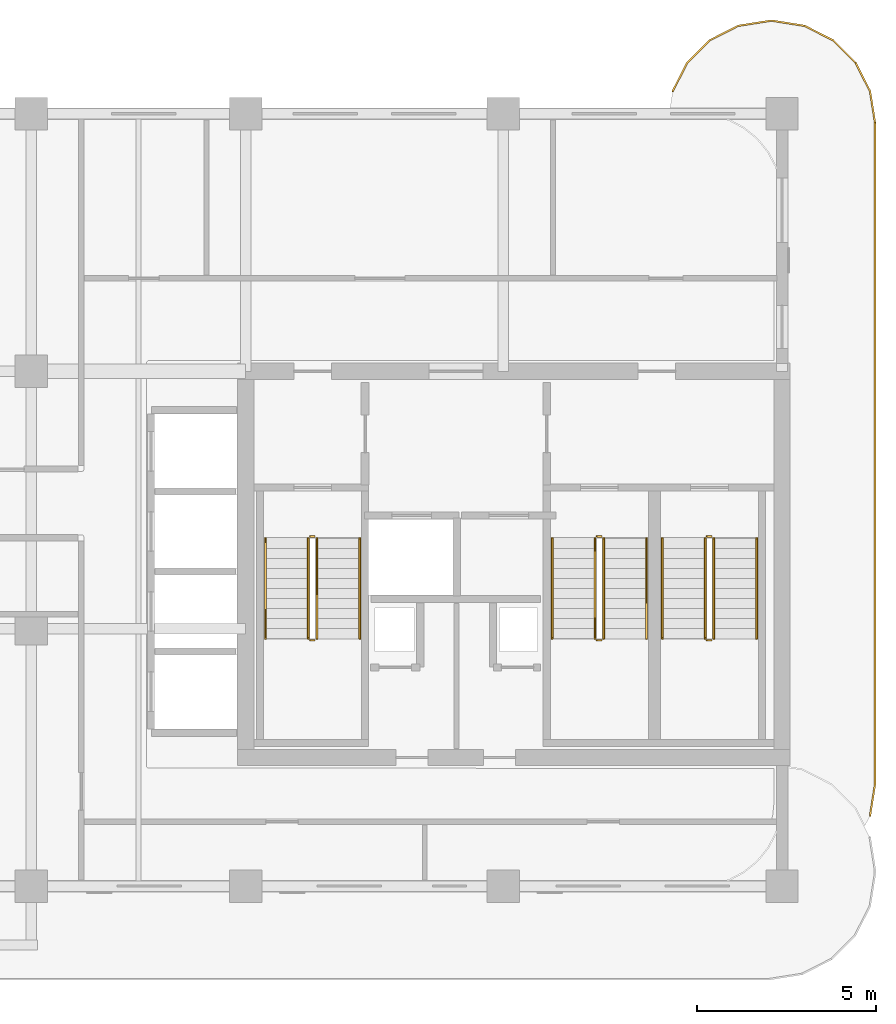
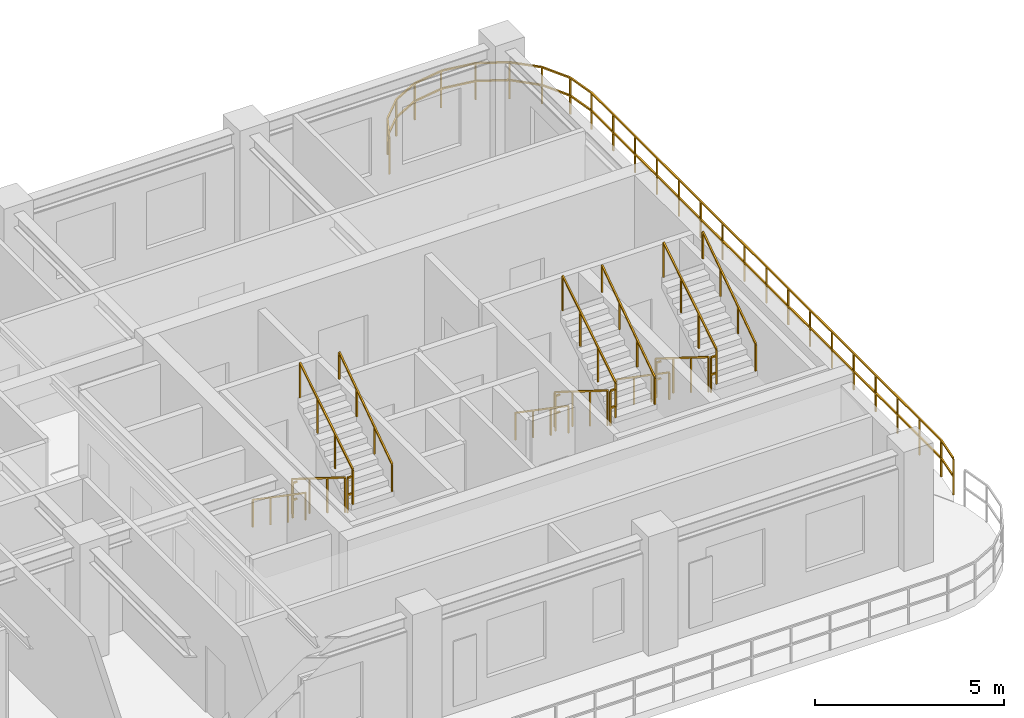
# One storey, part 8 of 8: 19 railings.
"""IFC4 building model written with IfcOpenShell, lengths in metres."""

import ifcopenshell
import ifcopenshell.guid

model = None  # the IFC model being written
_history = None  # IfcOwnerHistory: only IFC2X3 demands one
_inside = {}  # id of a spatial element -> (the spatial element, [elements in it])
_under = {}  # id of a project, library or spatial element -> (it, [spatial elements below it])
_declared = {}  # id of a project -> (the project, [libraries it declares])
_typed = {}  # id of a type object -> (the type object, [elements of that type])
_made_of = {}  # id of a material, layer set ... -> (it, [elements and type objects made of it])


def new_model(schema):
    """Start an empty IFC model of exactly this schema.

    Asked for "IFC4X3", IfcOpenShell would pick the latest addendum, in which some entities
    have other attributes; the version numbers below select the first issue.
    IFC2X3 requires an IfcOwnerHistory on every rooted entity: one is made here for all.
    """
    global model, _history
    if schema == "IFC4X3":
        model = ifcopenshell.file(schema_version=(4, 3, 0, 0))
    else:
        model = ifcopenshell.file(schema=schema)
    _inside.clear()
    _under.clear()
    _declared.clear()
    _typed.clear()
    _made_of.clear()
    _history = None
    if model.schema == "IFC2X3":
        org = make("IfcOrganization", Name="unknown")
        user = make(
            "IfcPersonAndOrganization",
            ThePerson=make("IfcPerson", FamilyName="unknown"),
            TheOrganization=org,
        )
        app = make(
            "IfcApplication",
            ApplicationDeveloper=org,
            Version="unknown",
            ApplicationFullName="unknown",
            ApplicationIdentifier="unknown",
        )
        _history = make(
            "IfcOwnerHistory",
            OwningUser=user,
            OwningApplication=app,
            ChangeAction="ADDED",
            CreationDate=0,
        )
    return model


def make(cls, **values):
    """One entity of the class cls with the attributes given. An attribute that is None is left unset."""
    return model.create_entity(
        cls, **{name: value for name, value in values.items() if value is not None}
    )


def rooted(cls, **values):
    """An entity with a GlobalId (a new one), such as an element, a storey or a relation."""
    return make(cls, GlobalId=ifcopenshell.guid.new(), OwnerHistory=_history, **values)


def si_unit(unit_type, name, prefix=None):
    """IfcSIUnit, for example si_unit("LENGTHUNIT", "METRE", prefix="MILLI")."""
    return make("IfcSIUnit", UnitType=unit_type, Prefix=prefix, Name=name)


def derived_unit(unit_type, elements):
    """IfcDerivedUnit: a product of units, each with its exponent."""
    return make(
        "IfcDerivedUnit",
        Elements=[
            make("IfcDerivedUnitElement", Unit=unit, Exponent=power)
            for unit, power in elements
        ],
        UnitType=unit_type,
    )


def assignment(units):
    """IfcUnitAssignment: the units of a project."""
    return None if units is None else make("IfcUnitAssignment", Units=units)


def point(xyz):
    """IfcCartesianPoint."""
    return None if xyz is None else make("IfcCartesianPoint", Coordinates=xyz)


def direction(xyz):
    """IfcDirection."""
    return None if xyz is None else make("IfcDirection", DirectionRatios=xyz)


def frame(location, z_axis=None, x_axis=None):
    """IfcAxis2Placement3D, a coordinate frame: its origin and axes. An axis left out is left unset."""
    return make(
        "IfcAxis2Placement3D",
        Location=point(location),
        Axis=direction(z_axis),
        RefDirection=direction(x_axis),
    )


def frame_2d(location, x_axis=None):
    """IfcAxis2Placement2D, a coordinate frame in the plane: its origin and x axis."""
    return make(
        "IfcAxis2Placement2D", Location=point(location), RefDirection=direction(x_axis)
    )


def origin():
    """The frame at (0, 0, 0) with its axes left unset."""
    return frame((0.0, 0.0, 0.0))


def origin_2d():
    """The frame at (0, 0) in the plane with its x axis left unset."""
    return frame_2d((0.0, 0.0))


def place(relative_to, where):
    """IfcLocalPlacement: puts the frame where relative to a parent placement (None: the world)."""
    return make(
        "IfcLocalPlacement", PlacementRelTo=relative_to, RelativePlacement=where
    )


def context(
    kind, dimensions, precision=None, world=None, true_north=None, identifier=None
):
    """IfcGeometricRepresentationContext, for example the 3D "Model" context."""
    return make(
        "IfcGeometricRepresentationContext",
        ContextIdentifier=identifier,
        ContextType=kind,
        CoordinateSpaceDimension=dimensions,
        Precision=precision,
        WorldCoordinateSystem=world,
        TrueNorth=true_north,
    )


def subcontext(parent, identifier, kind, view, scale=None):
    """IfcGeometricRepresentationSubContext, for example "Body" below "Model"."""
    return make(
        "IfcGeometricRepresentationSubContext",
        ContextIdentifier=identifier,
        ContextType=kind,
        ParentContext=parent,
        TargetScale=scale,
        TargetView=view,
    )


def project(units=None, contexts=None):
    """IfcProject with its units and contexts."""
    return rooted(
        "IfcProject",
        Name="project",
        RepresentationContexts=contexts,
        UnitsInContext=assignment(units),
    )


def spatial(cls, under=None, at=None, **own):
    """A site, building, storey or space (cls), placed at a placement, below another one or the project."""
    s = rooted(cls, ObjectPlacement=at, **own)
    if under is not None:
        _under.setdefault(under.id(), (under, []))[1].append(s)
    return s


def profile(cls, at=None, kind="AREA", **sizes):
    """A parametric profile (cls). Its sizes go by their IFC names, for example OverallWidth=200.0."""
    return make(cls, ProfileType=kind, Position=at, **sizes)


def rectangle(**sizes):
    """IfcRectangleProfileDef."""
    return profile("IfcRectangleProfileDef", **sizes)


def extrude(swept, where, along, depth):
    """IfcExtrudedAreaSolid: the profile swept, set in the frame where, extruded along a direction by depth."""
    return make(
        "IfcExtrudedAreaSolid",
        SweptArea=swept,
        Position=where,
        ExtrudedDirection=direction(along),
        Depth=depth,
    )


def shape(context_of_items, identifier, shape_type, items):
    """IfcShapeRepresentation: the items that make up one representation, for example the "Body"."""
    return make(
        "IfcShapeRepresentation",
        ContextOfItems=context_of_items,
        RepresentationIdentifier=identifier,
        RepresentationType=shape_type,
        Items=items,
    )


def material(Name=None, Category=None):
    """IfcMaterial."""
    return make("IfcMaterial", Name=Name, Category=Category)


def made_of(thing, what):
    """Note that an element or type object is made of a material, layer set ...; save() writes the relation."""
    if what is not None:
        _made_of.setdefault(what.id(), (what, []))[1].append(thing)
    return thing


def type_object(cls, material=None, **own):
    """A type object (cls), such as IfcWallType, which elements share."""
    return made_of(rooted(cls, **own), material)


def element(
    cls,
    number,
    at=None,
    inside=None,
    cuts=None,
    type_object=None,
    material=None,
    context=None,
    identifier="Body",
    shape_type=None,
    held_by="IfcProductDefinitionShape",
    body=None,
    shapes=None,
    **own,
):
    """One element of the class cls, such as IfcWall. Its Tag is "e" and its number.

    at: its placement. inside: the storey or other place that contains it. cuts: it is an
    opening in that element (IfcRelVoidsElement). A single representation is given by context,
    identifier, shape_type and body (its items); several are given by shapes. held_by: the class
    of the entity that holds the representations. save() writes the other relations.
    """
    e = rooted(cls, Tag="e%d" % number, ObjectPlacement=at, **own)
    if body is not None:
        shapes = [shape(context, identifier, shape_type, body)]
    if shapes is not None:
        e.Representation = make(held_by, Representations=shapes)
    if inside is not None:
        _inside.setdefault(inside.id(), (inside, []))[1].append(e)
    if cuts is not None:
        rooted(
            "IfcRelVoidsElement", RelatingBuildingElement=cuts, RelatedOpeningElement=e
        )
    if type_object is not None:
        _typed.setdefault(type_object.id(), (type_object, []))[1].append(e)
    return made_of(e, material)


def aggregate(whole, parts):
    """IfcRelAggregates: a whole, such as a stair, and the parts it consists of."""
    return rooted("IfcRelAggregates", RelatingObject=whole, RelatedObjects=parts)


def save(model, path):
    """Write the relations noted so far, then the file.

    IfcRelAggregates (storeys below a building ...), IfcRelContainedInSpatialStructure (elements
    in a storey), IfcRelDefinesByType, IfcRelAssociatesMaterial and IfcRelDeclares: one each for
    every whole, place, type object, material and project.
    """
    for whole, parts in _under.values():
        aggregate(whole, parts)
    for where, things in _inside.values():
        rooted(
            "IfcRelContainedInSpatialStructure",
            RelatedElements=things,
            RelatingStructure=where,
        )
    for kind, things in _typed.values():
        rooted("IfcRelDefinesByType", RelatedObjects=things, RelatingType=kind)
    for what, things in _made_of.values():
        rooted("IfcRelAssociatesMaterial", RelatedObjects=things, RelatingMaterial=what)
    for by, libraries in _declared.values():
        rooted("IfcRelDeclares", RelatingContext=by, RelatedDefinitions=libraries)
    model.write(path)


model = new_model("IFC4")

# Units and contexts
model_context = context("Model", 3, precision=1e-05, world=origin(), true_north=direction((0.0, 1.0)))
body_context = subcontext(model_context, "Body", "Model", "MODEL_VIEW")
ifc_project = project(units=[si_unit("LENGTHUNIT", "METRE"), si_unit("AREAUNIT", "SQUARE_METRE"), si_unit("VOLUMEUNIT", "CUBIC_METRE"), si_unit("PLANEANGLEUNIT", "RADIAN"), si_unit("MASSUNIT", "GRAM", prefix="KILO"), si_unit("THERMODYNAMICTEMPERATUREUNIT", "KELVIN"), si_unit("POWERUNIT", "WATT"), derived_unit("THERMALTRANSMITTANCEUNIT", [(si_unit("POWERUNIT", "WATT"), 1), (si_unit("AREAUNIT", "SQUARE_METRE"), -1), (si_unit("THERMODYNAMICTEMPERATUREUNIT", "KELVIN"), -1)])], contexts=[model_context])

# Site, building, storey
site_placement = place(None, origin())
site = spatial("IfcSite", under=ifc_project, at=site_placement, CompositionType="ELEMENT")
building_placement = place(site_placement, origin())
building = spatial("IfcBuilding", under=site, at=building_placement, Name="Zahravan Archway Hotel and Residences", CompositionType="ELEMENT")
storey_placement = place(building_placement, frame((0.0, 0.0, 232.699951171875)))
storey = spatial("IfcBuildingStorey", under=building, at=storey_placement, Name="L58", CompositionType="ELEMENT", Elevation=232.699951171875)

# Railings
ifc_material_1 = material(Name="Bronze & Laminated Glass Balustrade", Category="glass")
railing_type_1 = type_object("IfcRailingType", Name="RL-BAL-1200", PredefinedType="BALUSTRADE", material=ifc_material_1)
railing_1_placement = place(storey_placement, frame((46.739501953125, 22.230712890625, 0.0)))
element("IfcRailing", 1, at=railing_1_placement, inside=storey, type_object=railing_type_1, Name="L58 Balustrade RL-SLB-BAL-L58-EA-1", PredefinedType="BALUSTRADE", context=body_context, shape_type="SweptSolid", body=[
    extrude(rectangle(XDim=0.048095703125, YDim=0.048095703125, at=origin_2d()), frame((0.0, 0.0, 1.17578125), z_axis=(0.453991409995, 0.891006060389, 0.0), x_axis=(-0.891006060389, 0.453991409995, 0.0)), (0.0, 0.0, 1.0), 0.8916015625),
    extrude(rectangle(XDim=0.048095703125, YDim=0.048095703125, at=origin_2d()), frame((0.0, 0.0, 0.60009765625), z_axis=(0.453991409995, 0.891006060389, 0.0), x_axis=(-0.891006060389, 0.453991409995, 0.0)), (0.0, 0.0, 1.0), 0.8916015625),
    extrude(rectangle(XDim=0.048095703125, YDim=0.048095703125, at=origin_2d()), frame((0.40478515625, 0.79443359375, 1.17578125), z_axis=(0.707106781187, 0.707106781187, 0.0), x_axis=(-0.707106781187, 0.707106781187, 0.0)), (0.0, 0.0, 1.0), 0.891845703125),
    extrude(rectangle(XDim=0.048095703125, YDim=0.048095703125, at=origin_2d()), frame((0.40478515625, 0.79443359375, 0.60009765625), z_axis=(0.707106781187, 0.707106781187, 0.0), x_axis=(-0.707106781187, 0.707106781187, 0.0)), (0.0, 0.0, 1.0), 0.891845703125),
    extrude(rectangle(XDim=0.048095703125, YDim=0.048095703125, at=origin_2d()), frame((1.035400390625, 1.425048828125, 1.17578125), z_axis=(0.891006060389, 0.453991409995, 0.0), x_axis=(-0.453991409995, 0.891006060389, 0.0)), (0.0, 0.0, 1.0), 0.8916015625),
    extrude(rectangle(XDim=0.048095703125, YDim=0.048095703125, at=origin_2d()), frame((1.035400390625, 1.425048828125, 0.60009765625), z_axis=(0.891006060389, 0.453991409995, 0.0), x_axis=(-0.453991409995, 0.891006060389, 0.0)), (0.0, 0.0, 1.0), 0.8916015625),
    extrude(rectangle(XDim=0.048095703125, YDim=0.048095703125, at=origin_2d()), frame((1.829833984375, 1.829833984375, 1.17578125), z_axis=(0.987700720307, 0.156356282588, 0.0), x_axis=(-0.156356282588, 0.987700720307, 0.0)), (0.0, 0.0, 1.0), 0.8916015625),
    extrude(rectangle(XDim=0.048095703125, YDim=0.048095703125, at=origin_2d()), frame((1.829833984375, 1.829833984375, 0.60009765625), z_axis=(0.987700720307, 0.156356282588, 0.0), x_axis=(-0.156356282588, 0.987700720307, 0.0)), (0.0, 0.0, 1.0), 0.8916015625),
    extrude(rectangle(XDim=0.048095703125, YDim=0.048095703125, at=origin_2d()), frame((2.71044921875, 1.96923828125, 1.17578125), z_axis=(1.0, 0.0, 0.0), x_axis=(0.0, 1.0, 0.0)), (0.0, 0.0, 1.0), 0.10009765625),
    extrude(rectangle(XDim=0.048095703125, YDim=0.048095703125, at=origin_2d()), frame((2.71044921875, 1.96923828125, 0.60009765625), z_axis=(1.0, 0.0, 0.0), x_axis=(0.0, 1.0, 0.0)), (0.0, 0.0, 1.0), 0.10009765625),
    extrude(rectangle(XDim=0.048095703125, YDim=0.048095703125, at=origin_2d()), frame((2.810546875, 1.96923828125, 1.17578125), z_axis=(0.987700720307, -0.156356282588, 0.0), x_axis=(0.156356282588, 0.987700720307, 0.0)), (0.0, 0.0, 1.0), 0.8916015625),
    extrude(rectangle(XDim=0.048095703125, YDim=0.048095703125, at=origin_2d()), frame((2.810546875, 1.96923828125, 0.60009765625), z_axis=(0.987700720307, -0.156356282588, 0.0), x_axis=(0.156356282588, 0.987700720307, 0.0)), (0.0, 0.0, 1.0), 0.8916015625),
    extrude(rectangle(XDim=0.048095703125, YDim=0.048095703125, at=origin_2d()), frame((3.691162109375, 1.829833984375, 1.17578125), z_axis=(0.891006060389, -0.453991409995, 0.0), x_axis=(0.453991409995, 0.891006060389, 0.0)), (0.0, 0.0, 1.0), 0.8916015625),
    extrude(rectangle(XDim=0.048095703125, YDim=0.048095703125, at=origin_2d()), frame((3.691162109375, 1.829833984375, 0.60009765625), z_axis=(0.891006060389, -0.453991409995, 0.0), x_axis=(0.453991409995, 0.891006060389, 0.0)), (0.0, 0.0, 1.0), 0.8916015625),
    extrude(rectangle(XDim=0.048095703125, YDim=0.048095703125, at=origin_2d()), frame((4.485595703125, 1.425048828125, 1.17578125), z_axis=(0.707106781187, -0.707106781187, 0.0), x_axis=(0.707106781187, 0.707106781187, 0.0)), (0.0, 0.0, 1.0), 0.891845703125),
    extrude(rectangle(XDim=0.048095703125, YDim=0.048095703125, at=origin_2d()), frame((4.485595703125, 1.425048828125, 0.60009765625), z_axis=(0.707106781187, -0.707106781187, 0.0), x_axis=(0.707106781187, 0.707106781187, 0.0)), (0.0, 0.0, 1.0), 0.891845703125),
    extrude(rectangle(XDim=0.048095703125, YDim=0.048095703125, at=origin_2d()), frame((5.1162109375, 0.79443359375, 1.17578125), z_axis=(0.453991409995, -0.891006060389, 0.0), x_axis=(0.891006060389, 0.453991409995, 0.0)), (0.0, 0.0, 1.0), 0.8916015625),
    extrude(rectangle(XDim=0.048095703125, YDim=0.048095703125, at=origin_2d()), frame((5.1162109375, 0.79443359375, 0.60009765625), z_axis=(0.453991409995, -0.891006060389, 0.0), x_axis=(0.891006060389, 0.453991409995, 0.0)), (0.0, 0.0, 1.0), 0.8916015625),
    extrude(rectangle(XDim=0.048095703125, YDim=0.048095703125, at=origin_2d()), frame((5.52099609375, 0.0, 1.17578125), z_axis=(0.156356282588, -0.987700720307, 0.0), x_axis=(0.987700720307, 0.156356282588, 0.0)), (0.0, 0.0, 1.0), 0.8916015625),
    extrude(rectangle(XDim=0.048095703125, YDim=0.048095703125, at=origin_2d()), frame((5.52099609375, 0.0, 0.60009765625), z_axis=(0.156356282588, -0.987700720307, 0.0), x_axis=(0.987700720307, 0.156356282588, 0.0)), (0.0, 0.0, 1.0), 0.8916015625),
    extrude(rectangle(XDim=0.048095703125, YDim=0.048095703125, at=origin_2d()), frame((5.660400390625, -0.880615234375, 1.17578125), z_axis=(0.0, -1.0, 0.0), x_axis=(1.0, 0.0, 0.0)), (0.0, 0.0, 1.0), 18.5),
    extrude(rectangle(XDim=0.048095703125, YDim=0.048095703125, at=origin_2d()), frame((5.660400390625, -0.880615234375, 0.60009765625), z_axis=(0.0, -1.0, 0.0), x_axis=(1.0, 0.0, 0.0)), (0.0, 0.0, 1.0), 18.5),
    extrude(rectangle(XDim=0.048095703125, YDim=0.048095703125, at=origin_2d()), frame((5.660400390625, -19.380615234375, 1.17578125), z_axis=(-0.156314005608, -0.987707411965, 0.0), x_axis=(0.987707411965, -0.156314005608, 0.0)), (0.0, 0.0, 1.0), 0.891845703125),
    extrude(rectangle(XDim=0.048095703125, YDim=0.048095703125, at=origin_2d()), frame((5.660400390625, -19.380615234375, 0.60009765625), z_axis=(-0.156314005608, -0.987707411965, 0.0), x_axis=(0.987707411965, -0.156314005608, 0.0)), (0.0, 0.0, 1.0), 0.891845703125),
    extrude(rectangle(XDim=0.0419921875, YDim=0.0419921875, at=origin_2d()), origin(), (0.0, 0.0, 1.0), 1.15185546875),
    extrude(rectangle(XDim=0.0419921875, YDim=0.0419921875, at=origin_2d()), frame((0.40478515625, 0.79443359375, 0.0)), (0.0, 0.0, 1.0), 1.15185546875),
    extrude(rectangle(XDim=0.0419921875, YDim=0.0419921875, at=origin_2d()), frame((1.035400390625, 1.425048828125, 0.0)), (0.0, 0.0, 1.0), 1.15185546875),
    extrude(rectangle(XDim=0.0419921875, YDim=0.0419921875, at=origin_2d()), frame((1.829833984375, 1.829833984375, 0.0)), (0.0, 0.0, 1.0), 1.15185546875),
    extrude(rectangle(XDim=0.0419921875, YDim=0.0419921875, at=origin_2d()), frame((2.71044921875, 1.96923828125, 0.0)), (0.0, 0.0, 1.0), 1.15185546875),
    extrude(rectangle(XDim=0.0419921875, YDim=0.0419921875, at=origin_2d()), frame((3.691162109375, 1.829833984375, 0.0)), (0.0, 0.0, 1.0), 1.15185546875),
    extrude(rectangle(XDim=0.0419921875, YDim=0.0419921875, at=origin_2d()), frame((4.485595703125, 1.425048828125, 0.0)), (0.0, 0.0, 1.0), 1.15185546875),
    extrude(rectangle(XDim=0.0419921875, YDim=0.0419921875, at=origin_2d()), frame((5.1162109375, 0.79443359375, 0.0)), (0.0, 0.0, 1.0), 1.15185546875),
    extrude(rectangle(XDim=0.0419921875, YDim=0.0419921875, at=origin_2d()), frame((5.52099609375, 0.0, 0.0)), (0.0, 0.0, 1.0), 1.15185546875),
    extrude(rectangle(XDim=0.0419921875, YDim=0.0419921875, at=origin_2d()), frame((5.660400390625, -0.880615234375, 0.0)), (0.0, 0.0, 1.0), 1.15185546875),
    extrude(rectangle(XDim=0.0419921875, YDim=0.0419921875, at=origin_2d()), frame((5.660400390625, -2.036865234375, 0.0)), (0.0, 0.0, 1.0), 1.15185546875),
    extrude(rectangle(XDim=0.0419921875, YDim=0.0419921875, at=origin_2d()), frame((5.660400390625, -3.193115234375, 0.0)), (0.0, 0.0, 1.0), 1.15185546875),
    extrude(rectangle(XDim=0.0419921875, YDim=0.0419921875, at=origin_2d()), frame((5.660400390625, -4.349365234375, 0.0)), (0.0, 0.0, 1.0), 1.15185546875),
    extrude(rectangle(XDim=0.0419921875, YDim=0.0419921875, at=origin_2d()), frame((5.660400390625, -5.505615234375, 0.0)), (0.0, 0.0, 1.0), 1.15185546875),
    extrude(rectangle(XDim=0.0419921875, YDim=0.0419921875, at=origin_2d()), frame((5.660400390625, -6.661865234375, 0.0)), (0.0, 0.0, 1.0), 1.15185546875),
    extrude(rectangle(XDim=0.0419921875, YDim=0.0419921875, at=origin_2d()), frame((5.660400390625, -7.818115234375, 0.0)), (0.0, 0.0, 1.0), 1.15185546875),
    extrude(rectangle(XDim=0.0419921875, YDim=0.0419921875, at=origin_2d()), frame((5.660400390625, -8.974365234375, 0.0)), (0.0, 0.0, 1.0), 1.15185546875),
    extrude(rectangle(XDim=0.0419921875, YDim=0.0419921875, at=origin_2d()), frame((5.660400390625, -10.130615234375, 0.0)), (0.0, 0.0, 1.0), 1.15185546875),
    extrude(rectangle(XDim=0.0419921875, YDim=0.0419921875, at=origin_2d()), frame((5.660400390625, -11.286865234375, 0.0)), (0.0, 0.0, 1.0), 1.15185546875),
    extrude(rectangle(XDim=0.0419921875, YDim=0.0419921875, at=origin_2d()), frame((5.660400390625, -12.443115234375, 0.0)), (0.0, 0.0, 1.0), 1.15185546875),
    extrude(rectangle(XDim=0.0419921875, YDim=0.0419921875, at=origin_2d()), frame((5.660400390625, -13.599365234375, 0.0)), (0.0, 0.0, 1.0), 1.15185546875),
    extrude(rectangle(XDim=0.0419921875, YDim=0.0419921875, at=origin_2d()), frame((5.660400390625, -14.755615234375, 0.0)), (0.0, 0.0, 1.0), 1.15185546875),
    extrude(rectangle(XDim=0.0419921875, YDim=0.0419921875, at=origin_2d()), frame((5.660400390625, -15.911865234375, 0.0)), (0.0, 0.0, 1.0), 1.15185546875),
    extrude(rectangle(XDim=0.0419921875, YDim=0.0419921875, at=origin_2d()), frame((5.660400390625, -17.068115234375, 0.0)), (0.0, 0.0, 1.0), 1.15185546875),
    extrude(rectangle(XDim=0.0419921875, YDim=0.0419921875, at=origin_2d()), frame((5.660400390625, -18.224365234375, 0.0)), (0.0, 0.0, 1.0), 1.15185546875),
    extrude(rectangle(XDim=0.0419921875, YDim=0.0419921875, at=origin_2d()), frame((5.660400390625, -19.380615234375, 0.0)), (0.0, 0.0, 1.0), 1.15185546875),
    extrude(rectangle(XDim=0.0419921875, YDim=0.0419921875, at=origin_2d()), frame((5.52099609375, -20.261474609375, 0.0)), (0.0, 0.0, 1.0), 1.15185546875),
])
ifc_material_2 = material(Name="Painted Tubular Steel", Category="steel")
railing_type_2 = type_object("IfcRailingType", Name="RL-STG-1150", PredefinedType="GUARDRAIL", material=ifc_material_2)
railing_2_placement = place(storey_placement, frame((36.550048828125, 9.72998046875, 0.175048828125)))
element("IfcRailing", 2, at=railing_2_placement, inside=storey, type_object=railing_type_2, Name="L58 ST-A1 stair guard 1", PredefinedType="GUARDRAIL", context=body_context, shape_type="SweptSolid", body=[
    extrude(rectangle(XDim=0.048095703125, YDim=0.048095703125, at=origin_2d()), frame((0.0, 0.0, 1.1259765625), z_axis=(0.0, -0.848002457836, 0.529992293815), x_axis=(1.0, 0.0, 0.0)), (0.0, 0.0, 1.0), 3.302001953125),
    extrude(rectangle(XDim=0.0419921875, YDim=0.0419921875, at=origin_2d()), origin(), (0.0, 0.0, 1.0), 1.101806640625),
    extrude(rectangle(XDim=0.0419921875, YDim=0.0419921875, at=origin_2d()), frame((0.0, -0.933349609375, 0.583251953125)), (0.0, 0.0, 1.0), 1.101806640625),
    extrude(rectangle(XDim=0.0419921875, YDim=0.0419921875, at=origin_2d()), frame((0.0, -1.86669921875, 1.166748046875)), (0.0, 0.0, 1.0), 1.101806640625),
    extrude(rectangle(XDim=0.0419921875, YDim=0.0419921875, at=origin_2d()), frame((0.0, -2.800048828125, 1.75)), (0.0, 0.0, 1.0), 1.101806640625),
])
railing_3_placement = place(storey_placement, frame((36.60009765625, 6.8798828125, 1.925048828125)))
element("IfcRailing", 3, at=railing_3_placement, inside=storey, type_object=railing_type_2, Name="L58 ST-A1 stair guard 2", PredefinedType="GUARDRAIL", context=body_context, shape_type="SweptSolid", body=[
    extrude(rectangle(XDim=0.048095703125, YDim=0.048095703125, at=origin_2d()), frame((0.0, 0.0, 1.1259765625), z_axis=(1.0, 0.0, 0.0), x_axis=(0.0, 1.0, 0.0)), (0.0, 0.0, 1.0), 0.139892578125),
    extrude(rectangle(XDim=0.048095703125, YDim=0.048095703125, at=origin_2d()), frame((0.0, 0.0, 0.574951171875), z_axis=(1.0, 0.0, 0.0), x_axis=(0.0, 1.0, 0.0)), (0.0, 0.0, 1.0), 0.139892578125),
    extrude(rectangle(XDim=0.0419921875, YDim=0.0419921875, at=origin_2d()), origin(), (0.0, 0.0, 1.0), 1.101806640625),
])
railing_4_placement = place(storey_placement, frame((36.7900390625, 6.929931640625, 2.10009765625)))
element("IfcRailing", 4, at=railing_4_placement, inside=storey, type_object=railing_type_2, Name="L58 ST-A1 stair guard 3", PredefinedType="GUARDRAIL", context=body_context, shape_type="SweptSolid", body=[
    extrude(rectangle(XDim=0.048095703125, YDim=0.048095703125, at=origin_2d()), frame((0.0, 0.0, 1.1259765625), z_axis=(0.0, 0.848002457836, 0.529992293815), x_axis=(-1.0, 0.0, 0.0)), (0.0, 0.0, 1.0), 3.302001953125),
    extrude(rectangle(XDim=0.0419921875, YDim=0.0419921875, at=origin_2d()), origin(), (0.0, 0.0, 1.0), 1.101806640625),
    extrude(rectangle(XDim=0.0419921875, YDim=0.0419921875, at=origin_2d()), frame((0.0, 0.933349609375, 0.583251953125)), (0.0, 0.0, 1.0), 1.101806640625),
    extrude(rectangle(XDim=0.0419921875, YDim=0.0419921875, at=origin_2d()), frame((0.0, 1.86669921875, 1.166748046875)), (0.0, 0.0, 1.0), 1.101806640625),
    extrude(rectangle(XDim=0.0419921875, YDim=0.0419921875, at=origin_2d()), frame((0.0, 2.800048828125, 1.75)), (0.0, 0.0, 1.0), 1.101806640625),
])
railing_5_placement = place(storey_placement, frame((36.60009765625, 9.780029296875, 0.0)))
element("IfcRailing", 5, at=railing_5_placement, inside=storey, type_object=railing_type_2, Name="L58 ST-A1 stair guard 4", PredefinedType="GUARDRAIL", context=body_context, shape_type="SweptSolid", body=[
    extrude(rectangle(XDim=0.048095703125, YDim=0.048095703125, at=origin_2d()), frame((0.0, 0.0, 1.1259765625), z_axis=(1.0, 0.0, 0.0), x_axis=(0.0, 1.0, 0.0)), (0.0, 0.0, 1.0), 0.139892578125),
    extrude(rectangle(XDim=0.048095703125, YDim=0.048095703125, at=origin_2d()), frame((0.0, 0.0, 0.574951171875), z_axis=(1.0, 0.0, 0.0), x_axis=(0.0, 1.0, 0.0)), (0.0, 0.0, 1.0), 0.139892578125),
    extrude(rectangle(XDim=0.0419921875, YDim=0.0419921875, at=origin_2d()), origin(), (0.0, 0.0, 1.0), 1.101806640625),
])
railing_6_placement = place(storey_placement, frame((44.570068359375, 9.72998046875, 0.175048828125)))
element("IfcRailing", 6, at=railing_6_placement, inside=storey, type_object=railing_type_2, Name="L58 ST-A2 stair guard 1", PredefinedType="GUARDRAIL", context=body_context, shape_type="SweptSolid", body=[
    extrude(rectangle(XDim=0.048095703125, YDim=0.048095703125, at=origin_2d()), frame((0.0, 0.0, 1.1259765625), z_axis=(0.0, -0.848002457836, 0.529992293815), x_axis=(1.0, 0.0, 0.0)), (0.0, 0.0, 1.0), 3.302001953125),
    extrude(rectangle(XDim=0.0419921875, YDim=0.0419921875, at=origin_2d()), origin(), (0.0, 0.0, 1.0), 1.101806640625),
    extrude(rectangle(XDim=0.0419921875, YDim=0.0419921875, at=origin_2d()), frame((0.0, -0.933349609375, 0.583251953125)), (0.0, 0.0, 1.0), 1.101806640625),
    extrude(rectangle(XDim=0.0419921875, YDim=0.0419921875, at=origin_2d()), frame((0.0, -1.86669921875, 1.166748046875)), (0.0, 0.0, 1.0), 1.101806640625),
    extrude(rectangle(XDim=0.0419921875, YDim=0.0419921875, at=origin_2d()), frame((0.0, -2.800048828125, 1.75)), (0.0, 0.0, 1.0), 1.101806640625),
])
railing_7_placement = place(storey_placement, frame((44.6201171875, 6.8798828125, 1.925048828125)))
element("IfcRailing", 7, at=railing_7_placement, inside=storey, type_object=railing_type_2, Name="L58 ST-A2 stair guard 2", PredefinedType="GUARDRAIL", context=body_context, shape_type="SweptSolid", body=[
    extrude(rectangle(XDim=0.048095703125, YDim=0.048095703125, at=origin_2d()), frame((0.0, 0.0, 1.1259765625), z_axis=(1.0, 0.0, 0.0), x_axis=(0.0, 1.0, 0.0)), (0.0, 0.0, 1.0), 0.139892578125),
    extrude(rectangle(XDim=0.048095703125, YDim=0.048095703125, at=origin_2d()), frame((0.0, 0.0, 0.574951171875), z_axis=(1.0, 0.0, 0.0), x_axis=(0.0, 1.0, 0.0)), (0.0, 0.0, 1.0), 0.139892578125),
    extrude(rectangle(XDim=0.0419921875, YDim=0.0419921875, at=origin_2d()), origin(), (0.0, 0.0, 1.0), 1.101806640625),
])
railing_8_placement = place(storey_placement, frame((44.81005859375, 6.929931640625, 2.10009765625)))
element("IfcRailing", 8, at=railing_8_placement, inside=storey, type_object=railing_type_2, Name="L58 ST-A2 stair guard 3", PredefinedType="GUARDRAIL", context=body_context, shape_type="SweptSolid", body=[
    extrude(rectangle(XDim=0.048095703125, YDim=0.048095703125, at=origin_2d()), frame((0.0, 0.0, 1.1259765625), z_axis=(0.0, 0.848002457836, 0.529992293815), x_axis=(-1.0, 0.0, 0.0)), (0.0, 0.0, 1.0), 3.302001953125),
    extrude(rectangle(XDim=0.0419921875, YDim=0.0419921875, at=origin_2d()), origin(), (0.0, 0.0, 1.0), 1.101806640625),
    extrude(rectangle(XDim=0.0419921875, YDim=0.0419921875, at=origin_2d()), frame((0.0, 0.933349609375, 0.583251953125)), (0.0, 0.0, 1.0), 1.101806640625),
    extrude(rectangle(XDim=0.0419921875, YDim=0.0419921875, at=origin_2d()), frame((0.0, 1.86669921875, 1.166748046875)), (0.0, 0.0, 1.0), 1.101806640625),
    extrude(rectangle(XDim=0.0419921875, YDim=0.0419921875, at=origin_2d()), frame((0.0, 2.800048828125, 1.75)), (0.0, 0.0, 1.0), 1.101806640625),
])
railing_9_placement = place(storey_placement, frame((44.6201171875, 9.780029296875, 0.0)))
element("IfcRailing", 9, at=railing_9_placement, inside=storey, type_object=railing_type_2, Name="L58 ST-A2 stair guard 4", PredefinedType="GUARDRAIL", context=body_context, shape_type="SweptSolid", body=[
    extrude(rectangle(XDim=0.048095703125, YDim=0.048095703125, at=origin_2d()), frame((0.0, 0.0, 1.1259765625), z_axis=(1.0, 0.0, 0.0), x_axis=(0.0, 1.0, 0.0)), (0.0, 0.0, 1.0), 0.139892578125),
    extrude(rectangle(XDim=0.048095703125, YDim=0.048095703125, at=origin_2d()), frame((0.0, 0.0, 0.574951171875), z_axis=(1.0, 0.0, 0.0), x_axis=(0.0, 1.0, 0.0)), (0.0, 0.0, 1.0), 0.139892578125),
    extrude(rectangle(XDim=0.0419921875, YDim=0.0419921875, at=origin_2d()), origin(), (0.0, 0.0, 1.0), 1.101806640625),
])
railing_10_placement = place(storey_placement, frame((47.64990234375, 9.72998046875, 0.175048828125)))
element("IfcRailing", 10, at=railing_10_placement, inside=storey, type_object=railing_type_2, Name="L58 ST-A3 stair guard 1", PredefinedType="GUARDRAIL", context=body_context, shape_type="SweptSolid", body=[
    extrude(rectangle(XDim=0.048095703125, YDim=0.048095703125, at=origin_2d()), frame((0.0, 0.0, 1.1259765625), z_axis=(0.0, -0.848002457836, 0.529992293815), x_axis=(1.0, 0.0, 0.0)), (0.0, 0.0, 1.0), 3.302001953125),
    extrude(rectangle(XDim=0.0419921875, YDim=0.0419921875, at=origin_2d()), origin(), (0.0, 0.0, 1.0), 1.101806640625),
    extrude(rectangle(XDim=0.0419921875, YDim=0.0419921875, at=origin_2d()), frame((0.0, -0.933349609375, 0.583251953125)), (0.0, 0.0, 1.0), 1.101806640625),
    extrude(rectangle(XDim=0.0419921875, YDim=0.0419921875, at=origin_2d()), frame((0.0, -1.86669921875, 1.166748046875)), (0.0, 0.0, 1.0), 1.101806640625),
    extrude(rectangle(XDim=0.0419921875, YDim=0.0419921875, at=origin_2d()), frame((0.0, -2.800048828125, 1.75)), (0.0, 0.0, 1.0), 1.101806640625),
])
railing_11_placement = place(storey_placement, frame((47.699951171875, 6.8798828125, 1.925048828125)))
element("IfcRailing", 11, at=railing_11_placement, inside=storey, type_object=railing_type_2, Name="L58 ST-A3 stair guard 2", PredefinedType="GUARDRAIL", context=body_context, shape_type="SweptSolid", body=[
    extrude(rectangle(XDim=0.048095703125, YDim=0.048095703125, at=origin_2d()), frame((0.0, 0.0, 1.1259765625), z_axis=(1.0, 0.0, 0.0), x_axis=(0.0, 1.0, 0.0)), (0.0, 0.0, 1.0), 0.14013671875),
    extrude(rectangle(XDim=0.048095703125, YDim=0.048095703125, at=origin_2d()), frame((0.0, 0.0, 0.574951171875), z_axis=(1.0, 0.0, 0.0), x_axis=(0.0, 1.0, 0.0)), (0.0, 0.0, 1.0), 0.14013671875),
    extrude(rectangle(XDim=0.0419921875, YDim=0.0419921875, at=origin_2d()), origin(), (0.0, 0.0, 1.0), 1.101806640625),
])
railing_12_placement = place(storey_placement, frame((47.889892578125, 6.929931640625, 2.10009765625)))
element("IfcRailing", 12, at=railing_12_placement, inside=storey, type_object=railing_type_2, Name="L58 ST-A3 stair guard 3", PredefinedType="GUARDRAIL", context=body_context, shape_type="SweptSolid", body=[
    extrude(rectangle(XDim=0.048095703125, YDim=0.048095703125, at=origin_2d()), frame((0.0, 0.0, 1.1259765625), z_axis=(0.0, 0.848002457836, 0.529992293815), x_axis=(-1.0, 0.0, 0.0)), (0.0, 0.0, 1.0), 3.302001953125),
    extrude(rectangle(XDim=0.0419921875, YDim=0.0419921875, at=origin_2d()), origin(), (0.0, 0.0, 1.0), 1.101806640625),
    extrude(rectangle(XDim=0.0419921875, YDim=0.0419921875, at=origin_2d()), frame((0.0, 0.933349609375, 0.583251953125)), (0.0, 0.0, 1.0), 1.101806640625),
    extrude(rectangle(XDim=0.0419921875, YDim=0.0419921875, at=origin_2d()), frame((0.0, 1.86669921875, 1.166748046875)), (0.0, 0.0, 1.0), 1.101806640625),
    extrude(rectangle(XDim=0.0419921875, YDim=0.0419921875, at=origin_2d()), frame((0.0, 2.800048828125, 1.75)), (0.0, 0.0, 1.0), 1.101806640625),
])
railing_13_placement = place(storey_placement, frame((47.699951171875, 9.780029296875, 0.0)))
element("IfcRailing", 13, at=railing_13_placement, inside=storey, type_object=railing_type_2, Name="L58 ST-A3 stair guard 4", PredefinedType="GUARDRAIL", context=body_context, shape_type="SweptSolid", body=[
    extrude(rectangle(XDim=0.048095703125, YDim=0.048095703125, at=origin_2d()), frame((0.0, 0.0, 1.1259765625), z_axis=(1.0, 0.0, 0.0), x_axis=(0.0, 1.0, 0.0)), (0.0, 0.0, 1.0), 0.14013671875),
    extrude(rectangle(XDim=0.048095703125, YDim=0.048095703125, at=origin_2d()), frame((0.0, 0.0, 0.574951171875), z_axis=(1.0, 0.0, 0.0), x_axis=(0.0, 1.0, 0.0)), (0.0, 0.0, 1.0), 0.14013671875),
    extrude(rectangle(XDim=0.0419921875, YDim=0.0419921875, at=origin_2d()), origin(), (0.0, 0.0, 1.0), 1.101806640625),
])
ifc_material_3 = material(Name="Brushed Stainless Steel", Category="steel")
railing_type_3 = type_object("IfcRailingType", Name="RL-STH-900", PredefinedType="HANDRAIL", material=ifc_material_3)
railing_14_placement = place(storey_placement, frame((35.35009765625, 9.72998046875, 0.175048828125)))
element("IfcRailing", 14, at=railing_14_placement, inside=storey, type_object=railing_type_3, Name="L58 ST-A1 stair handrail 1", PredefinedType="HANDRAIL", context=body_context, shape_type="SweptSolid", body=[
    extrude(rectangle(XDim=0.048095703125, YDim=0.048095703125, at=origin_2d()), frame((0.0, 0.0, 0.8759765625), z_axis=(0.0, -0.824039827795, 0.566531872191), x_axis=(1.0, 0.0, 0.0)), (0.0, 0.0, 1.0), 3.39794921875),
    extrude(rectangle(XDim=0.0419921875, YDim=0.0419921875, at=origin_2d()), origin(), (0.0, 0.0, 1.0), 0.851806640625),
    extrude(rectangle(XDim=0.0419921875, YDim=0.0419921875, at=origin_2d()), frame((0.0, -0.933349609375, 0.6416015625)), (0.0, 0.0, 1.0), 0.851806640625),
    extrude(rectangle(XDim=0.0419921875, YDim=0.0419921875, at=origin_2d()), frame((0.0, -1.86669921875, 1.283447265625)), (0.0, 0.0, 1.0), 0.851806640625),
    extrude(rectangle(XDim=0.0419921875, YDim=0.0419921875, at=origin_2d()), frame((0.0, -2.800048828125, 1.925048828125)), (0.0, 0.0, 1.0), 0.851806640625),
])
railing_15_placement = place(storey_placement, frame((37.989990234375, 6.929931640625, 2.10009765625)))
element("IfcRailing", 15, at=railing_15_placement, inside=storey, type_object=railing_type_3, Name="L58 ST-A1 stair handrail 2", PredefinedType="HANDRAIL", context=body_context, shape_type="SweptSolid", body=[
    extrude(rectangle(XDim=0.048095703125, YDim=0.048095703125, at=origin_2d()), frame((0.0, 0.0, 0.8759765625), z_axis=(0.0, 0.824039827795, 0.566531872191), x_axis=(-1.0, 0.0, 0.0)), (0.0, 0.0, 1.0), 3.39794921875),
    extrude(rectangle(XDim=0.0419921875, YDim=0.0419921875, at=origin_2d()), origin(), (0.0, 0.0, 1.0), 0.851806640625),
    extrude(rectangle(XDim=0.0419921875, YDim=0.0419921875, at=origin_2d()), frame((0.0, 0.933349609375, 0.6416015625)), (0.0, 0.0, 1.0), 0.851806640625),
    extrude(rectangle(XDim=0.0419921875, YDim=0.0419921875, at=origin_2d()), frame((0.0, 1.86669921875, 1.283447265625)), (0.0, 0.0, 1.0), 0.851806640625),
    extrude(rectangle(XDim=0.0419921875, YDim=0.0419921875, at=origin_2d()), frame((0.0, 2.800048828125, 1.925048828125)), (0.0, 0.0, 1.0), 0.851806640625),
])
railing_16_placement = place(storey_placement, frame((43.3701171875, 9.72998046875, 0.175048828125)))
element("IfcRailing", 16, at=railing_16_placement, inside=storey, type_object=railing_type_3, Name="L58 ST-A2 stair handrail 1", PredefinedType="HANDRAIL", context=body_context, shape_type="SweptSolid", body=[
    extrude(rectangle(XDim=0.048095703125, YDim=0.048095703125, at=origin_2d()), frame((0.0, 0.0, 0.8759765625), z_axis=(0.0, -0.824039827795, 0.566531872191), x_axis=(1.0, 0.0, 0.0)), (0.0, 0.0, 1.0), 3.39794921875),
    extrude(rectangle(XDim=0.0419921875, YDim=0.0419921875, at=origin_2d()), origin(), (0.0, 0.0, 1.0), 0.851806640625),
    extrude(rectangle(XDim=0.0419921875, YDim=0.0419921875, at=origin_2d()), frame((0.0, -0.933349609375, 0.6416015625)), (0.0, 0.0, 1.0), 0.851806640625),
    extrude(rectangle(XDim=0.0419921875, YDim=0.0419921875, at=origin_2d()), frame((0.0, -1.86669921875, 1.283447265625)), (0.0, 0.0, 1.0), 0.851806640625),
    extrude(rectangle(XDim=0.0419921875, YDim=0.0419921875, at=origin_2d()), frame((0.0, -2.800048828125, 1.925048828125)), (0.0, 0.0, 1.0), 0.851806640625),
])
railing_17_placement = place(storey_placement, frame((46.010009765625, 6.929931640625, 2.10009765625)))
element("IfcRailing", 17, at=railing_17_placement, inside=storey, type_object=railing_type_3, Name="L58 ST-A2 stair handrail 2", PredefinedType="HANDRAIL", context=body_context, shape_type="SweptSolid", body=[
    extrude(rectangle(XDim=0.048095703125, YDim=0.048095703125, at=origin_2d()), frame((0.0, 0.0, 0.8759765625), z_axis=(0.0, 0.824039827795, 0.566531872191), x_axis=(-1.0, 0.0, 0.0)), (0.0, 0.0, 1.0), 3.39794921875),
    extrude(rectangle(XDim=0.0419921875, YDim=0.0419921875, at=origin_2d()), origin(), (0.0, 0.0, 1.0), 0.851806640625),
    extrude(rectangle(XDim=0.0419921875, YDim=0.0419921875, at=origin_2d()), frame((0.0, 0.933349609375, 0.6416015625)), (0.0, 0.0, 1.0), 0.851806640625),
    extrude(rectangle(XDim=0.0419921875, YDim=0.0419921875, at=origin_2d()), frame((0.0, 1.86669921875, 1.283447265625)), (0.0, 0.0, 1.0), 0.851806640625),
    extrude(rectangle(XDim=0.0419921875, YDim=0.0419921875, at=origin_2d()), frame((0.0, 2.800048828125, 1.925048828125)), (0.0, 0.0, 1.0), 0.851806640625),
])
railing_18_placement = place(storey_placement, frame((46.449951171875, 9.72998046875, 0.175048828125)))
element("IfcRailing", 18, at=railing_18_placement, inside=storey, type_object=railing_type_3, Name="L58 ST-A3 stair handrail 1", PredefinedType="HANDRAIL", context=body_context, shape_type="SweptSolid", body=[
    extrude(rectangle(XDim=0.048095703125, YDim=0.048095703125, at=origin_2d()), frame((0.0, 0.0, 0.8759765625), z_axis=(0.0, -0.824039827795, 0.566531872191), x_axis=(1.0, 0.0, 0.0)), (0.0, 0.0, 1.0), 3.39794921875),
    extrude(rectangle(XDim=0.0419921875, YDim=0.0419921875, at=origin_2d()), origin(), (0.0, 0.0, 1.0), 0.851806640625),
    extrude(rectangle(XDim=0.0419921875, YDim=0.0419921875, at=origin_2d()), frame((0.0, -0.933349609375, 0.6416015625)), (0.0, 0.0, 1.0), 0.851806640625),
    extrude(rectangle(XDim=0.0419921875, YDim=0.0419921875, at=origin_2d()), frame((0.0, -1.86669921875, 1.283447265625)), (0.0, 0.0, 1.0), 0.851806640625),
    extrude(rectangle(XDim=0.0419921875, YDim=0.0419921875, at=origin_2d()), frame((0.0, -2.800048828125, 1.925048828125)), (0.0, 0.0, 1.0), 0.851806640625),
])
railing_19_placement = place(storey_placement, frame((49.090087890625, 6.929931640625, 2.10009765625)))
element("IfcRailing", 19, at=railing_19_placement, inside=storey, type_object=railing_type_3, Name="L58 ST-A3 stair handrail 2", PredefinedType="HANDRAIL", context=body_context, shape_type="SweptSolid", body=[
    extrude(rectangle(XDim=0.048095703125, YDim=0.048095703125, at=origin_2d()), frame((0.0, 0.0, 0.8759765625), z_axis=(0.0, 0.824039827795, 0.566531872191), x_axis=(-1.0, 0.0, 0.0)), (0.0, 0.0, 1.0), 3.39794921875),
    extrude(rectangle(XDim=0.0419921875, YDim=0.0419921875, at=origin_2d()), origin(), (0.0, 0.0, 1.0), 0.851806640625),
    extrude(rectangle(XDim=0.0419921875, YDim=0.0419921875, at=origin_2d()), frame((0.0, 0.933349609375, 0.6416015625)), (0.0, 0.0, 1.0), 0.851806640625),
    extrude(rectangle(XDim=0.0419921875, YDim=0.0419921875, at=origin_2d()), frame((0.0, 1.86669921875, 1.283447265625)), (0.0, 0.0, 1.0), 0.851806640625),
    extrude(rectangle(XDim=0.0419921875, YDim=0.0419921875, at=origin_2d()), frame((0.0, 2.800048828125, 1.925048828125)), (0.0, 0.0, 1.0), 0.851806640625),
])

save(model, "model.ifc")
